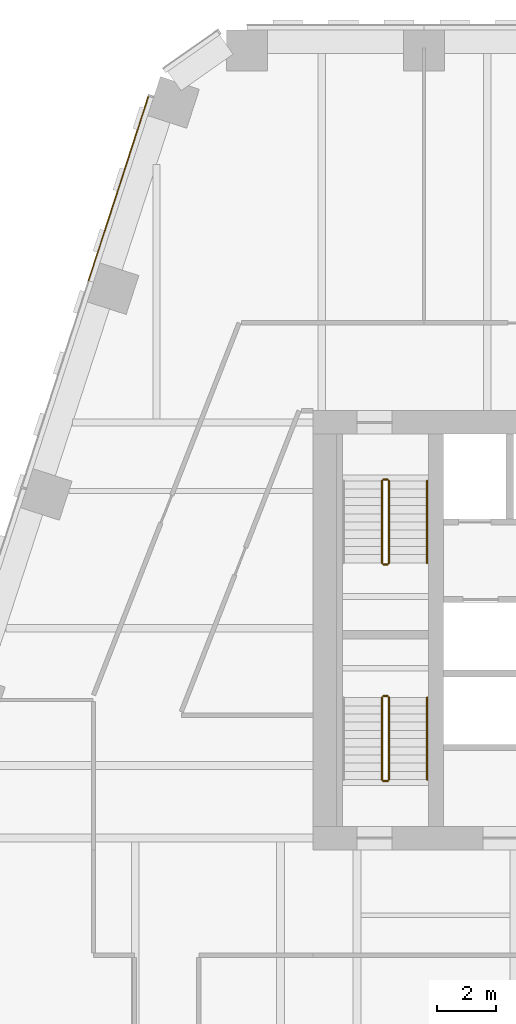
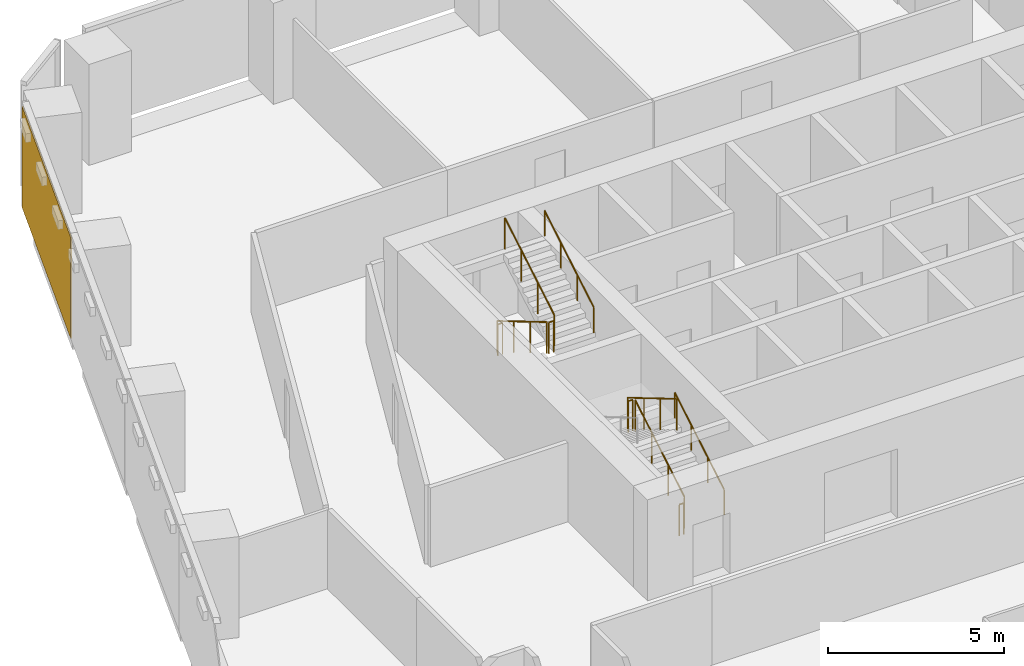
# One storey, part 16 of 17: 10 railings, 1 covering, 1 element without a shape of its own.
"""IFC4 building model written with IfcOpenShell, lengths in metres."""

from ifc_helpers import new_model, si_unit, direction, frame, origin, origin_2d, place, context, subcontext, project, spatial, rectangle, circle, extrude, material, layer, layer_set, type_object, element, aggregate, save


model = new_model("IFC4")

# Units and contexts
model_context = context("Model", 3, precision=1e-05, world=origin(), true_north=direction((0.0, 1.0)))
body_context = subcontext(model_context, "Body", "Model", "MODEL_VIEW")
ifc_project = project(units=[si_unit("LENGTHUNIT", "METRE"), si_unit("AREAUNIT", "SQUARE_METRE"), si_unit("VOLUMEUNIT", "CUBIC_METRE"), si_unit("PLANEANGLEUNIT", "RADIAN"), si_unit("MASSUNIT", "GRAM", prefix="KILO")], contexts=[model_context])

# Site, building, storey
site_placement = place(None, origin())
site = spatial("IfcSite", under=ifc_project, at=site_placement, CompositionType="ELEMENT")
building_placement = place(site_placement, origin())
building = spatial("IfcBuilding", under=site, at=building_placement, Name="Isthmus Gate Tower", CompositionType="ELEMENT")
storey_placement = place(building_placement, frame((0.0, 0.0, 126.14990234375)))
storey = spatial("IfcBuildingStorey", under=building, at=storey_placement, Name="L30", CompositionType="ELEMENT", Elevation=126.14990234375)

# Curtain wall, covering
ifc_material_1 = material(Name="Aluminium, pale champagne anodised", Category="aluminium")
ifc_layer_1 = layer(ifc_material_1, 0.199951171875)
ifc_layer_set_1 = layer_set([ifc_layer_1], Name="CW-1 UNITISED CURTAIN WALL 200 DEEP")
curtain_wall_type = type_object("IfcCurtainWallType", Name="CW-1 UNITISED CURTAIN WALL 200 DEEP", PredefinedType="NOTDEFINED", material=ifc_layer_set_1)
curtain_wall_placement = place(storey_placement, origin())
curtain_wall = element("IfcCurtainWall", 1, at=curtain_wall_placement, inside=storey, type_object=curtain_wall_type, Name="CW-1 NW L30", PredefinedType="NOTDEFINED")
ifc_material_2 = material(Name="Aluminium composite panel, pale champagne anodised", Category="aluminium")
ifc_layer_2 = layer(ifc_material_2, 0.035888671875)
ifc_layer_set_2 = layer_set([ifc_layer_2], Name="CW-1 PALE METAL PANEL 36")
covering_type = type_object("IfcCoveringType", Name="CW-1 PALE METAL PANEL 36", PredefinedType="CLADDING", material=ifc_layer_set_2)
covering_placement = place(storey_placement, frame((-21.647216796875, 22.59521484375, 0.0), z_axis=(0.0, 0.0, 1.0), x_axis=(-0.309016994375, -0.951056516295, 0.0)))
covering = element("IfcCovering", 2, at=covering_placement, type_object=covering_type, Name="CW-1 pale metal panel", PredefinedType="CLADDING", context=body_context, shape_type="SweptSolid", body=[
    extrude(rectangle(XDim=6.630859375, YDim=0.035888671875, at=origin_2d()), origin(), (0.0, 0.0, 1.0), 3.510009765625),
])
aggregate(curtain_wall, [covering])

# Railings
ifc_material_3 = material(Name="Stainless steel balustrade", Category="steel")
railing_type_1 = type_object("IfcRailingType", Name="STAIR GUARD 1100", PredefinedType="GUARDRAIL", material=ifc_material_3)
railing_1_placement = place(storey_placement, frame((-12.64990234375, 12.60009765625, 0.166015625)))
element("IfcRailing", 3, at=railing_1_placement, inside=storey, type_object=railing_type_1, Name="L30 ST1 stair guard 1", PredefinedType="GUARDRAIL", context=body_context, shape_type="SweptSolid", body=[
    extrude(circle(Radius=0.02392578125, at=origin_2d()), frame((0.0, 0.0, 1.076171875), z_axis=(0.0, -0.860306154799, 0.50977771628), x_axis=(1.0, 0.0, 0.0)), (0.0, 0.0, 1.0), 3.254638671875),
    extrude(circle(Radius=0.02099609375, at=origin_2d()), origin(), (0.0, 0.0, 1.0), 1.052001953125),
    extrude(circle(Radius=0.02099609375, at=origin_2d()), frame((0.0, -0.933349609375, 0.552978515625)), (0.0, 0.0, 1.0), 1.052001953125),
    extrude(circle(Radius=0.02099609375, at=origin_2d()), frame((0.0, -1.86669921875, 1.106201171875)), (0.0, 0.0, 1.0), 1.052001953125),
    extrude(circle(Radius=0.02099609375, at=origin_2d()), frame((0.0, -2.800048828125, 1.6591796875)), (0.0, 0.0, 1.0), 1.052001953125),
])
railing_2_placement = place(storey_placement, frame((-12.60009765625, 9.75, 1.8251953125)))
element("IfcRailing", 4, at=railing_2_placement, inside=storey, type_object=railing_type_1, Name="L30 ST1 stair guard 2", PredefinedType="GUARDRAIL", context=body_context, shape_type="SweptSolid", body=[
    extrude(circle(Radius=0.02392578125, at=origin_2d()), frame((0.0, 0.0, 1.076171875), z_axis=(1.0, 0.0, 0.0), x_axis=(0.0, 1.0, 0.0)), (0.0, 0.0, 1.0), 0.150146484375),
    extrude(circle(Radius=0.02099609375, at=origin_2d()), origin(), (0.0, 0.0, 1.0), 1.052001953125),
    extrude(circle(Radius=0.02099609375, at=origin_2d()), frame((0.150146484375, 0.0, 0.0)), (0.0, 0.0, 1.0), 1.052001953125),
])
railing_3_placement = place(storey_placement, frame((-12.39990234375, 9.800048828125, 1.990966796875)))
element("IfcRailing", 5, at=railing_3_placement, inside=storey, type_object=railing_type_1, Name="L30 ST1 stair guard 3", PredefinedType="GUARDRAIL", context=body_context, shape_type="SweptSolid", body=[
    extrude(circle(Radius=0.02392578125, at=origin_2d()), frame((0.0, 0.0, 1.076171875), z_axis=(0.0, 0.860306154799, 0.50977771628), x_axis=(-1.0, 0.0, 0.0)), (0.0, 0.0, 1.0), 3.254638671875),
    extrude(circle(Radius=0.02099609375, at=origin_2d()), origin(), (0.0, 0.0, 1.0), 1.052001953125),
    extrude(circle(Radius=0.02099609375, at=origin_2d()), frame((0.0, 0.933349609375, 0.552978515625)), (0.0, 0.0, 1.0), 1.052001953125),
    extrude(circle(Radius=0.02099609375, at=origin_2d()), frame((0.0, 1.86669921875, 1.106201171875)), (0.0, 0.0, 1.0), 1.052001953125),
    extrude(circle(Radius=0.02099609375, at=origin_2d()), frame((0.0, 2.800048828125, 1.6591796875)), (0.0, 0.0, 1.0), 1.052001953125),
])
railing_4_placement = place(storey_placement, frame((-12.60009765625, 12.64990234375, 0.0)))
element("IfcRailing", 6, at=railing_4_placement, inside=storey, type_object=railing_type_1, Name="L30 ST1 stair guard 4", PredefinedType="GUARDRAIL", context=body_context, shape_type="SweptSolid", body=[
    extrude(circle(Radius=0.02392578125, at=origin_2d()), frame((0.0, 0.0, 1.076171875), z_axis=(1.0, 0.0, 0.0), x_axis=(0.0, 1.0, 0.0)), (0.0, 0.0, 1.0), 0.150146484375),
    extrude(circle(Radius=0.02099609375, at=origin_2d()), origin(), (0.0, 0.0, 1.0), 1.052001953125),
    extrude(circle(Radius=0.02099609375, at=origin_2d()), frame((0.150146484375, 0.0, 0.0)), (0.0, 0.0, 1.0), 1.052001953125),
])
railing_5_placement = place(storey_placement, frame((-12.39990234375, 2.39990234375, 0.166015625)))
element("IfcRailing", 7, at=railing_5_placement, inside=storey, type_object=railing_type_1, Name="L30 ST7 stair guard 1", PredefinedType="GUARDRAIL", context=body_context, shape_type="SweptSolid", body=[
    extrude(circle(Radius=0.02392578125, at=origin_2d()), frame((0.0, 0.0, 1.076171875), z_axis=(0.0, 0.860306154799, 0.50977771628), x_axis=(-1.0, 0.0, 0.0)), (0.0, 0.0, 1.0), 3.254638671875),
    extrude(circle(Radius=0.02099609375, at=origin_2d()), origin(), (0.0, 0.0, 1.0), 1.052001953125),
    extrude(circle(Radius=0.02099609375, at=origin_2d()), frame((0.0, 0.933349609375, 0.552978515625)), (0.0, 0.0, 1.0), 1.052001953125),
    extrude(circle(Radius=0.02099609375, at=origin_2d()), frame((0.0, 1.86669921875, 1.106201171875)), (0.0, 0.0, 1.0), 1.052001953125),
    extrude(circle(Radius=0.02099609375, at=origin_2d()), frame((0.0, 2.800048828125, 1.6591796875)), (0.0, 0.0, 1.0), 1.052001953125),
])
railing_6_placement = place(storey_placement, frame((-12.449951171875, 5.25, 1.8251953125)))
element("IfcRailing", 8, at=railing_6_placement, inside=storey, type_object=railing_type_1, Name="L30 ST7 stair guard 2", PredefinedType="GUARDRAIL", context=body_context, shape_type="SweptSolid", body=[
    extrude(circle(Radius=0.02392578125, at=origin_2d()), frame((0.0, 0.0, 1.076171875), z_axis=(-1.0, 0.0, 0.0), x_axis=(0.0, -1.0, 0.0)), (0.0, 0.0, 1.0), 0.150146484375),
    extrude(circle(Radius=0.02099609375, at=origin_2d()), origin(), (0.0, 0.0, 1.0), 1.052001953125),
    extrude(circle(Radius=0.02099609375, at=origin_2d()), frame((-0.150146484375, 0.0, 0.0)), (0.0, 0.0, 1.0), 1.052001953125),
])
railing_7_placement = place(storey_placement, frame((-12.64990234375, 5.199951171875, 1.990966796875)))
element("IfcRailing", 9, at=railing_7_placement, inside=storey, type_object=railing_type_1, Name="L30 ST7 stair guard 3", PredefinedType="GUARDRAIL", context=body_context, shape_type="SweptSolid", body=[
    extrude(circle(Radius=0.02392578125, at=origin_2d()), frame((0.0, 0.0, 1.076171875), z_axis=(0.0, -0.860306154799, 0.50977771628), x_axis=(1.0, 0.0, 0.0)), (0.0, 0.0, 1.0), 3.254638671875),
    extrude(circle(Radius=0.02099609375, at=origin_2d()), origin(), (0.0, 0.0, 1.0), 1.052001953125),
    extrude(circle(Radius=0.02099609375, at=origin_2d()), frame((0.0, -0.933349609375, 0.552978515625)), (0.0, 0.0, 1.0), 1.052001953125),
    extrude(circle(Radius=0.02099609375, at=origin_2d()), frame((0.0, -1.86669921875, 1.106201171875)), (0.0, 0.0, 1.0), 1.052001953125),
    extrude(circle(Radius=0.02099609375, at=origin_2d()), frame((0.0, -2.800048828125, 1.6591796875)), (0.0, 0.0, 1.0), 1.052001953125),
])
railing_8_placement = place(storey_placement, frame((-12.449951171875, 2.35009765625, 0.0)))
element("IfcRailing", 10, at=railing_8_placement, inside=storey, type_object=railing_type_1, Name="L30 ST7 stair guard 4", PredefinedType="GUARDRAIL", context=body_context, shape_type="SweptSolid", body=[
    extrude(circle(Radius=0.02392578125, at=origin_2d()), frame((0.0, 0.0, 1.076171875), z_axis=(-1.0, 0.0, 0.0), x_axis=(0.0, -1.0, 0.0)), (0.0, 0.0, 1.0), 0.150146484375),
    extrude(circle(Radius=0.02099609375, at=origin_2d()), origin(), (0.0, 0.0, 1.0), 1.052001953125),
    extrude(circle(Radius=0.02099609375, at=origin_2d()), frame((-0.150146484375, 0.0, 0.0)), (0.0, 0.0, 1.0), 1.052001953125),
])
ifc_material_4 = material(Name="Stainless steel handrail", Category="steel")
railing_type_2 = type_object("IfcRailingType", Name="STAIR HANDRAIL 900", PredefinedType="HANDRAIL", material=ifc_material_4)
for number, where, name in (
    (11, (-11.10009765625, 9.800048828125, 1.990966796875), "L30 ST1 stair handrail 2"),
    (12, (-11.10009765625, 2.39990234375, 0.166015625), "L30 ST7 stair handrail 1"),
):
    element("IfcRailing", number, at=place(storey_placement, frame(where)), inside=storey, type_object=railing_type_2, Name=name, PredefinedType="HANDRAIL", context=body_context, shape_type="SweptSolid", body=[
        extrude(circle(Radius=0.02392578125, at=origin_2d()), frame((0.0, 0.0, 0.8759765625), z_axis=(0.0, 0.860306154799, 0.50977771628), x_axis=(-1.0, 0.0, 0.0)), (0.0, 0.0, 1.0), 3.254638671875),
        extrude(circle(Radius=0.02099609375, at=origin_2d()), origin(), (0.0, 0.0, 1.0), 0.851806640625),
        extrude(circle(Radius=0.02099609375, at=origin_2d()), frame((0.0, 0.933349609375, 0.552978515625)), (0.0, 0.0, 1.0), 0.851806640625),
        extrude(circle(Radius=0.02099609375, at=origin_2d()), frame((0.0, 1.86669921875, 1.106201171875)), (0.0, 0.0, 1.0), 0.851806640625),
        extrude(circle(Radius=0.02099609375, at=origin_2d()), frame((0.0, 2.800048828125, 1.6591796875)), (0.0, 0.0, 1.0), 0.851806640625),
    ])

save(model, "model.ifc")
